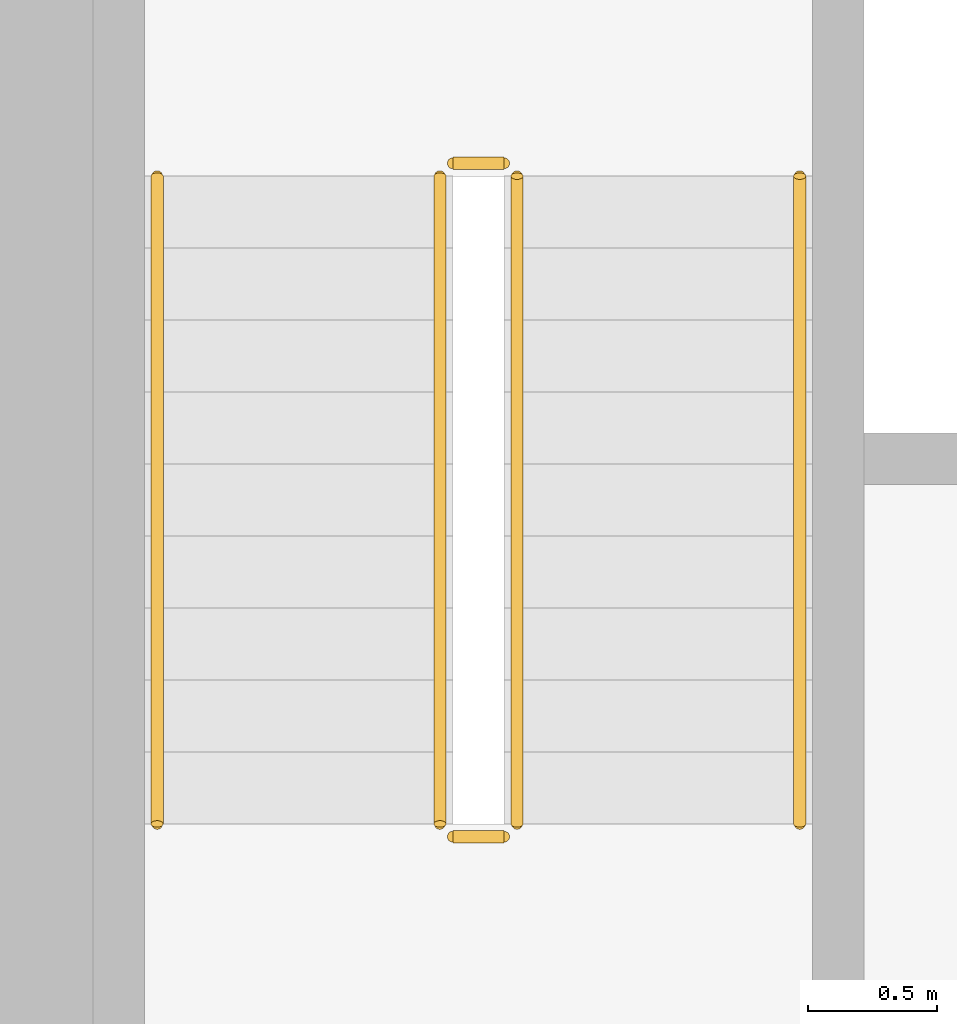
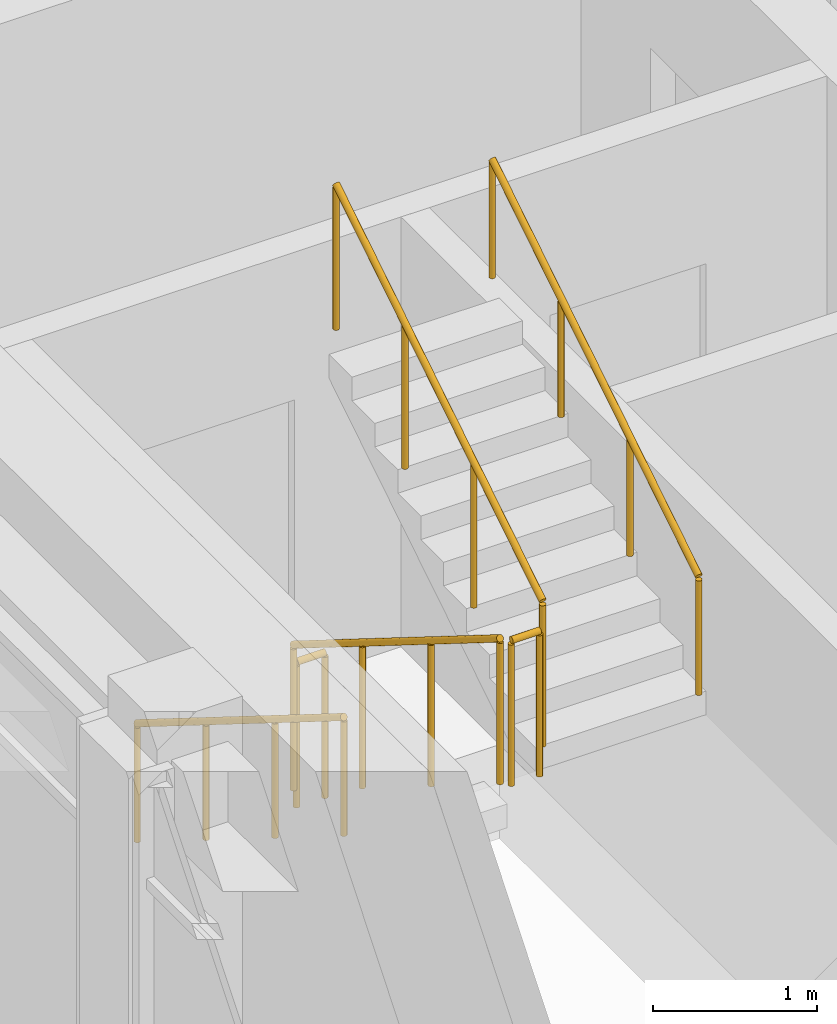
# One storey, part 15 of 16: 6 railings.
"""IFC4 building model written with IfcOpenShell, lengths in metres."""

from ifc_helpers import new_model, si_unit, direction, frame, origin, origin_2d, place, context, subcontext, project, spatial, circle, extrude, material, type_object, element, save


model = new_model("IFC4")

# Units and contexts
model_context = context("Model", 3, precision=1e-05, world=origin(), true_north=direction((0.0, 1.0)))
body_context = subcontext(model_context, "Body", "Model", "MODEL_VIEW")
ifc_project = project(units=[si_unit("LENGTHUNIT", "METRE"), si_unit("AREAUNIT", "SQUARE_METRE"), si_unit("VOLUMEUNIT", "CUBIC_METRE"), si_unit("PLANEANGLEUNIT", "RADIAN"), si_unit("MASSUNIT", "GRAM", prefix="KILO")], contexts=[model_context])

# Site, building, storey
site_placement = place(None, origin())
site = spatial("IfcSite", under=ifc_project, at=site_placement, CompositionType="ELEMENT")
building_placement = place(site_placement, origin())
building = spatial("IfcBuilding", under=site, at=building_placement, Name="Kiln Ring Residences", CompositionType="ELEMENT")
storey_placement = place(building_placement, frame((0.0, 0.0, 313.89990234375)))
storey = spatial("IfcBuildingStorey", under=building, at=storey_placement, Name="L81 Crown", CompositionType="ELEMENT", Elevation=313.89990234375)

# Railings
ifc_material_1 = material(Name="Stainless steel", Category="steel")
railing_type_1 = type_object("IfcRailingType", Name="CORE-STAIR-GUARD", PredefinedType="GUARDRAIL", material=ifc_material_1)
railing_1_placement = place(storey_placement, frame((-22.25, 8.39990234375, 0.175048828125)))
element("IfcRailing", 1, at=railing_1_placement, inside=storey, type_object=railing_type_1, Name="L81 Crown W-STN stair guard 1", PredefinedType="GUARDRAIL", context=body_context, shape_type="SweptSolid", body=[
    extrude(circle(Radius=0.02392578125, at=origin_2d()), frame((0.0, 0.0, 1.076171875), z_axis=(0.0, -0.848007534815, 0.529984170421), x_axis=(1.0, 0.0, 0.0)), (0.0, 0.0, 1.0), 2.9716796875),
    extrude(circle(Radius=0.02099609375, at=origin_2d()), origin(), (0.0, 0.0, 1.0), 1.052001953125),
    extrude(circle(Radius=0.02099609375, at=origin_2d()), frame((0.0, -0.840087890625, 0.52490234375)), (0.0, 0.0, 1.0), 1.052001953125),
    extrude(circle(Radius=0.02099609375, at=origin_2d()), frame((0.0, -1.679931640625, 1.050048828125)), (0.0, 0.0, 1.0), 1.052001953125),
    extrude(circle(Radius=0.02099609375, at=origin_2d()), frame((0.0, -2.52001953125, 1.574951171875)), (0.0, 0.0, 1.0), 1.052001953125),
])
railing_2_placement = place(storey_placement, frame((-22.199951171875, 5.830078125, 1.75)))
element("IfcRailing", 2, at=railing_2_placement, inside=storey, type_object=railing_type_1, Name="L81 Crown W-STN stair guard 2", PredefinedType="GUARDRAIL", context=body_context, shape_type="SweptSolid", body=[
    extrude(circle(Radius=0.02392578125, at=origin_2d()), frame((0.0, 0.0, 1.076171875), z_axis=(1.0, 0.0, 0.0), x_axis=(0.0, 1.0, 0.0)), (0.0, 0.0, 1.0), 0.199951171875),
    extrude(circle(Radius=0.02099609375, at=origin_2d()), origin(), (0.0, 0.0, 1.0), 1.052001953125),
    extrude(circle(Radius=0.02099609375, at=origin_2d()), frame((0.199951171875, 0.0, 0.0)), (0.0, 0.0, 1.0), 1.052001953125),
])
railing_3_placement = place(storey_placement, frame((-21.949951171875, 5.8798828125, 1.925048828125)))
element("IfcRailing", 3, at=railing_3_placement, inside=storey, type_object=railing_type_1, Name="L81 Crown W-STN stair guard 3", PredefinedType="GUARDRAIL", context=body_context, shape_type="SweptSolid", body=[
    extrude(circle(Radius=0.02392578125, at=origin_2d()), frame((0.0, 0.0, 1.076171875), z_axis=(0.0, 0.848007534815, 0.529984170421), x_axis=(-1.0, 0.0, 0.0)), (0.0, 0.0, 1.0), 2.9716796875),
    extrude(circle(Radius=0.02099609375, at=origin_2d()), origin(), (0.0, 0.0, 1.0), 1.052001953125),
    extrude(circle(Radius=0.02099609375, at=origin_2d()), frame((0.0, 0.840087890625, 0.52490234375)), (0.0, 0.0, 1.0), 1.052001953125),
    extrude(circle(Radius=0.02099609375, at=origin_2d()), frame((0.0, 1.679931640625, 1.050048828125)), (0.0, 0.0, 1.0), 1.052001953125),
    extrude(circle(Radius=0.02099609375, at=origin_2d()), frame((0.0, 2.52001953125, 1.574951171875)), (0.0, 0.0, 1.0), 1.052001953125),
])
railing_4_placement = place(storey_placement, frame((-22.199951171875, 8.449951171875, 0.0)))
element("IfcRailing", 4, at=railing_4_placement, inside=storey, type_object=railing_type_1, Name="L81 Crown W-STN stair guard 4", PredefinedType="GUARDRAIL", context=body_context, shape_type="SweptSolid", body=[
    extrude(circle(Radius=0.02392578125, at=origin_2d()), frame((0.0, 0.0, 1.076171875), z_axis=(1.0, 0.0, 0.0), x_axis=(0.0, 1.0, 0.0)), (0.0, 0.0, 1.0), 0.199951171875),
    extrude(circle(Radius=0.02099609375, at=origin_2d()), origin(), (0.0, 0.0, 1.0), 1.052001953125),
    extrude(circle(Radius=0.02099609375, at=origin_2d()), frame((0.199951171875, 0.0, 0.0)), (0.0, 0.0, 1.0), 1.052001953125),
])
ifc_material_2 = material(Name="Stainless steel", Category="steel")
railing_type_2 = type_object("IfcRailingType", Name="CORE-STAIR-HANDRAIL", PredefinedType="HANDRAIL", material=ifc_material_2)
railing_5_placement = place(storey_placement, frame((-23.35009765625, 8.39990234375, 0.175048828125)))
element("IfcRailing", 5, at=railing_5_placement, inside=storey, type_object=railing_type_2, Name="L81 Crown W-STN stair handrail 1", PredefinedType="HANDRAIL", context=body_context, shape_type="SweptSolid", body=[
    extrude(circle(Radius=0.02392578125, at=origin_2d()), frame((0.0, 0.0, 0.8759765625), z_axis=(0.0, -0.848007534815, 0.529984170421), x_axis=(1.0, 0.0, 0.0)), (0.0, 0.0, 1.0), 2.9716796875),
    extrude(circle(Radius=0.02099609375, at=origin_2d()), origin(), (0.0, 0.0, 1.0), 0.851806640625),
    extrude(circle(Radius=0.02099609375, at=origin_2d()), frame((0.0, -0.840087890625, 0.52490234375)), (0.0, 0.0, 1.0), 0.851806640625),
    extrude(circle(Radius=0.02099609375, at=origin_2d()), frame((0.0, -1.679931640625, 1.050048828125)), (0.0, 0.0, 1.0), 0.851806640625),
    extrude(circle(Radius=0.02099609375, at=origin_2d()), frame((0.0, -2.52001953125, 1.574951171875)), (0.0, 0.0, 1.0), 0.851806640625),
])
railing_6_placement = place(storey_placement, frame((-20.85009765625, 5.8798828125, 1.925048828125)))
element("IfcRailing", 6, at=railing_6_placement, inside=storey, type_object=railing_type_2, Name="L81 Crown W-STN stair handrail 2", PredefinedType="HANDRAIL", context=body_context, shape_type="SweptSolid", body=[
    extrude(circle(Radius=0.02392578125, at=origin_2d()), frame((0.0, 0.0, 0.8759765625), z_axis=(0.0, 0.848007534815, 0.529984170421), x_axis=(-1.0, 0.0, 0.0)), (0.0, 0.0, 1.0), 2.9716796875),
    extrude(circle(Radius=0.02099609375, at=origin_2d()), origin(), (0.0, 0.0, 1.0), 0.851806640625),
    extrude(circle(Radius=0.02099609375, at=origin_2d()), frame((0.0, 0.840087890625, 0.52490234375)), (0.0, 0.0, 1.0), 0.851806640625),
    extrude(circle(Radius=0.02099609375, at=origin_2d()), frame((0.0, 1.679931640625, 1.050048828125)), (0.0, 0.0, 1.0), 0.851806640625),
    extrude(circle(Radius=0.02099609375, at=origin_2d()), frame((0.0, 2.52001953125, 1.574951171875)), (0.0, 0.0, 1.0), 0.851806640625),
])

save(model, "model.ifc")
